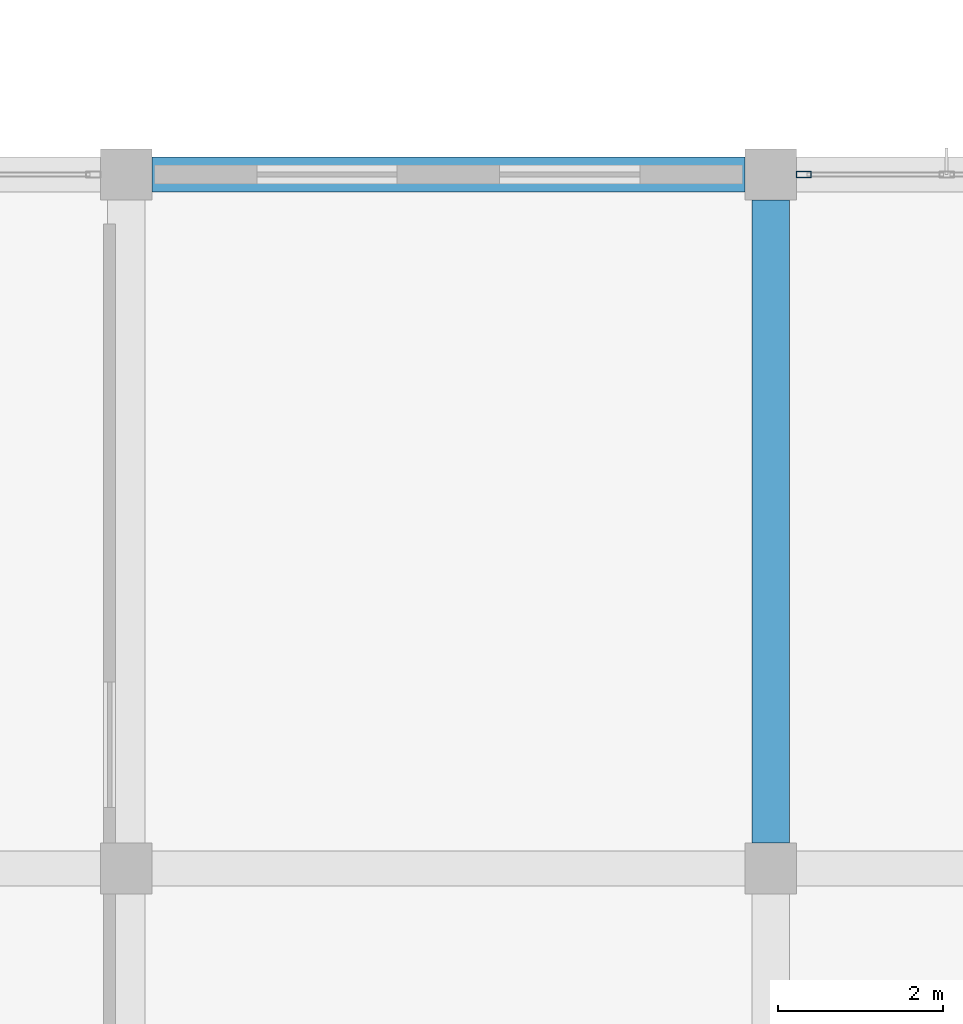
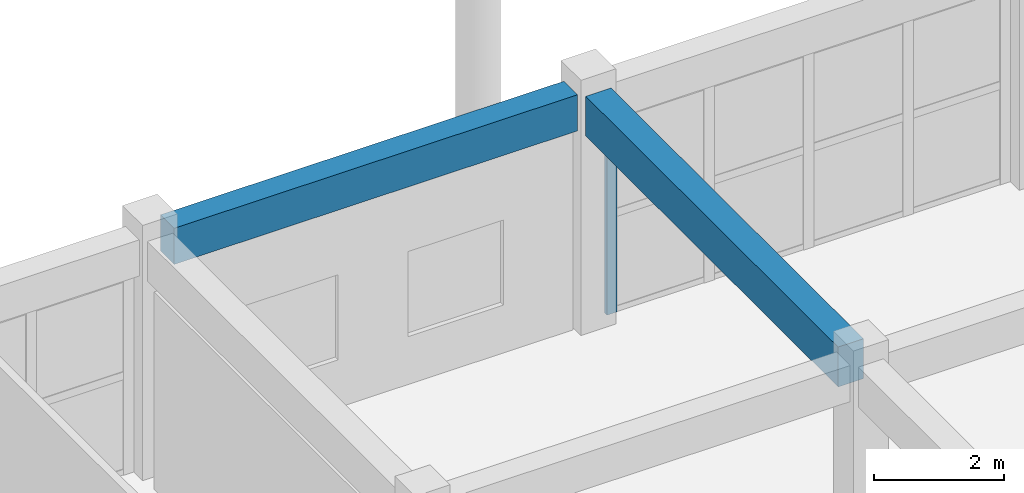
# One storey, part 105 of 167: 2 beams, 1 member, 1 element without a shape of its own.
"""IFC4 building model written with IfcOpenShell, lengths in metres."""

from ifc_helpers import new_model, si_unit, direction, frame, origin, origin_2d, place, context, subcontext, project, spatial, rectangle, hollow_rectangle, extrude, material, layer, layer_set, material_profile, profile_set, type_object, element, aggregate, save


model = new_model("IFC4")

# Units and contexts
model_context = context("Model", 3, precision=1e-05, world=origin(), true_north=direction((0.0, 1.0)))
body_context = subcontext(model_context, "Body", "Model", "MODEL_VIEW")
ifc_project = project(units=[si_unit("LENGTHUNIT", "METRE"), si_unit("AREAUNIT", "SQUARE_METRE"), si_unit("VOLUMEUNIT", "CUBIC_METRE"), si_unit("PLANEANGLEUNIT", "RADIAN"), si_unit("MASSUNIT", "GRAM", prefix="KILO")], contexts=[model_context])

# Site, building, storey
site_placement = place(None, origin())
site = spatial("IfcSite", under=ifc_project, at=site_placement, CompositionType="ELEMENT")
building_placement = place(site_placement, origin())
building = spatial("IfcBuilding", under=site, at=building_placement, Name="Zizhar Promenade General Hospital", CompositionType="ELEMENT")
storey_placement = place(building_placement, frame((0.0, 0.0, 9.60009765625)))
storey = spatial("IfcBuildingStorey", under=building, at=storey_placement, Name="L02", CompositionType="ELEMENT", Elevation=9.60009765625)

# Beams
ifc_material_1 = material(Name="Concrete C35/45", Category="concrete")
ifc_material_profile_1 = material_profile(ifc_material_1, rectangle(XDim=0.419921875, YDim=0.679931640625, at=origin_2d()))
ifc_profile_set_1 = profile_set([ifc_material_profile_1], Name="Concrete C35/45")
beam_type_1 = type_object("IfcBeamType", Name="BM-RC-420x680", PredefinedType="JOIST", material=ifc_profile_set_1)
beam_1_placement = place(storey_placement, frame((148.510009765625, 109.199951171875, 4.1298828125), z_axis=(1.0, 0.0, 0.0), x_axis=(0.0, 1.0, 0.0)))
element("IfcBeam", 1, at=beam_1_placement, inside=storey, type_object=beam_type_1, Name="Grid Beam X L02 (19-13)", PredefinedType="JOIST", context=body_context, shape_type="SweptSolid", body=[
    extrude(rectangle(XDim=0.419921875, YDim=0.679931640625, at=origin_2d()), origin(), (0.0, 0.0, 1.0), 7.179931640625),
])
ifc_material_2 = material(Name="Concrete C35/45", Category="concrete")
ifc_material_profile_2 = material_profile(ifc_material_2, rectangle(XDim=0.449951171875, YDim=0.75, at=origin_2d()))
ifc_profile_set_2 = profile_set([ifc_material_profile_2], Name="Concrete C35/45")
beam_type_2 = type_object("IfcBeamType", Name="BM-RC-450x750", PredefinedType="BEAM", material=ifc_profile_set_2)
beam_2_placement = place(storey_placement, frame((156.0, 101.110107421875, 4.094970703125), z_axis=(0.0, 1.0, 0.0), x_axis=(-1.0, 0.0, 0.0)))
element("IfcBeam", 2, at=beam_2_placement, inside=storey, type_object=beam_type_2, Name="Grid Beam Y L02 (20-12)", PredefinedType="BEAM", context=body_context, shape_type="SweptSolid", body=[
    extrude(rectangle(XDim=0.449951171875, YDim=0.75, at=origin_2d()), origin(), (0.0, 0.0, 1.0), 7.77978515625),
])

# Curtain wall, member
ifc_material_3 = material(Name="Anodised aluminium 6063-T6 and low-E glass", Category="aluminium")
ifc_layer = layer(ifc_material_3, 0.159912109375)
ifc_layer_set = layer_set([ifc_layer], Name="Anodised aluminium 6063-T6 and low-E glass")
curtain_wall_type = type_object("IfcCurtainWallType", Name="CW-CLN-EXT", PredefinedType="NOTDEFINED", material=ifc_layer_set)
curtain_wall_placement = place(storey_placement, origin())
curtain_wall = element("IfcCurtainWall", 3, at=curtain_wall_placement, inside=storey, type_object=curtain_wall_type, Name="Outpatient North Curtain Wall L02-20", PredefinedType="NOTDEFINED")
ifc_material_4 = material(Name="Anodised aluminium 6063-T6", Category="aluminium")
ifc_material_profile_3 = material_profile(ifc_material_4, hollow_rectangle(XDim=0.080078125, YDim=0.179931640625, WallThickness=0.0048828125, at=origin_2d()))
ifc_profile_set_3 = profile_set([ifc_material_profile_3], Name="Anodised aluminium 6063-T6")
member_type = type_object("IfcMemberType", Name="CWM-ALU-180x80", PredefinedType="MULLION", material=ifc_profile_set_3)
member_placement = place(storey_placement, frame((156.39990234375, 109.199951171875, 0.0), z_axis=(0.0, 0.0, 1.0), x_axis=(0.0, 1.0, 0.0)))
member = element("IfcMember", 4, at=member_placement, type_object=member_type, Name="CW-09 mullion 1", PredefinedType="MULLION", context=body_context, shape_type="SweptSolid", body=[
    extrude(hollow_rectangle(XDim=0.080078125, YDim=0.179931640625, WallThickness=0.0048828125, at=origin_2d()), origin(), (0.0, 0.0, 1.0), 3.72998046875),
])
aggregate(curtain_wall, [member])

save(model, "model.ifc")
